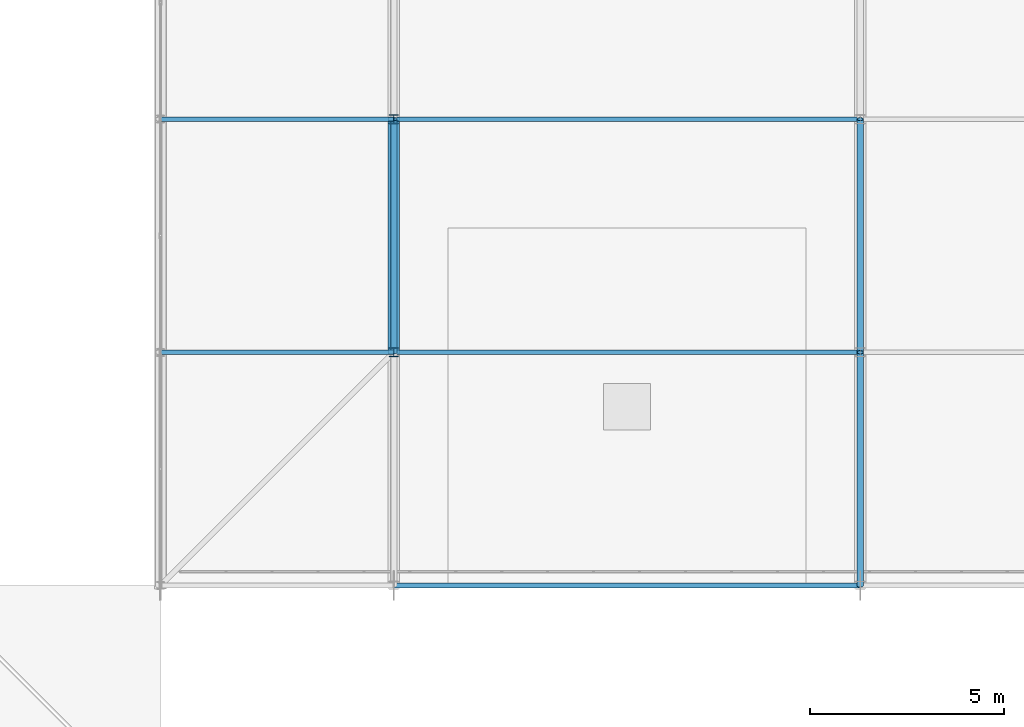
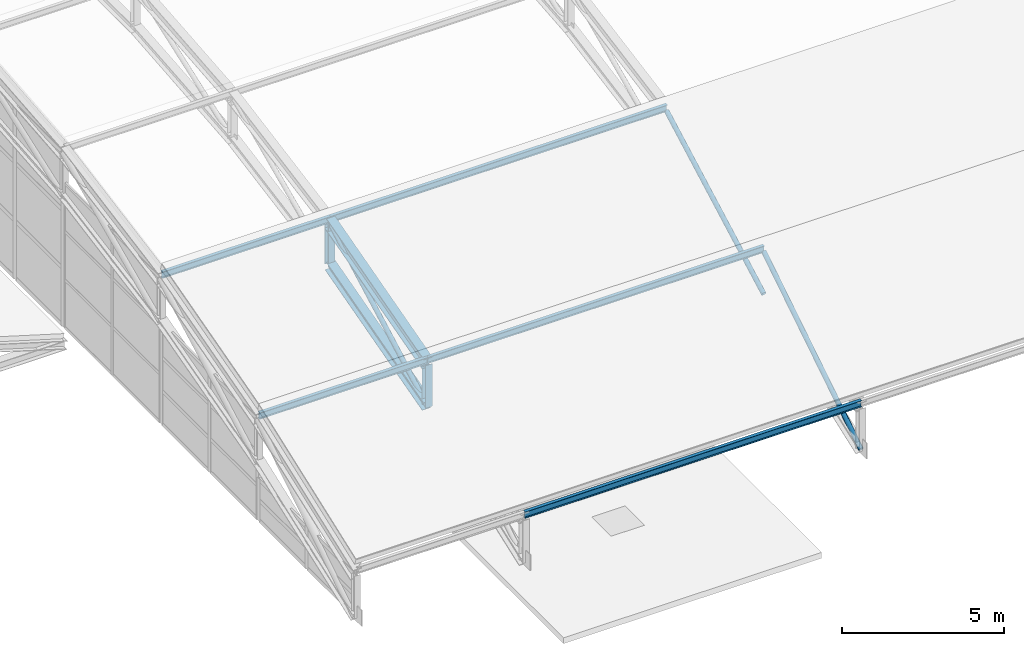
# One storey, part 20 of 204: 12 members.
"""IFC4 building model written with IfcOpenShell, lengths in metres."""

import ifcopenshell
import ifcopenshell.guid

model = None  # the IFC model being written
_history = None  # IfcOwnerHistory: only IFC2X3 demands one
_inside = {}  # id of a spatial element -> (the spatial element, [elements in it])
_under = {}  # id of a project, library or spatial element -> (it, [spatial elements below it])
_declared = {}  # id of a project -> (the project, [libraries it declares])
_typed = {}  # id of a type object -> (the type object, [elements of that type])
_made_of = {}  # id of a material, layer set ... -> (it, [elements and type objects made of it])


def new_model(schema):
    """Start an empty IFC model of exactly this schema.

    Asked for "IFC4X3", IfcOpenShell would pick the latest addendum, in which some entities
    have other attributes; the version numbers below select the first issue.
    IFC2X3 requires an IfcOwnerHistory on every rooted entity: one is made here for all.
    """
    global model, _history
    if schema == "IFC4X3":
        model = ifcopenshell.file(schema_version=(4, 3, 0, 0))
    else:
        model = ifcopenshell.file(schema=schema)
    _inside.clear()
    _under.clear()
    _declared.clear()
    _typed.clear()
    _made_of.clear()
    _history = None
    if model.schema == "IFC2X3":
        org = make("IfcOrganization", Name="unknown")
        user = make(
            "IfcPersonAndOrganization",
            ThePerson=make("IfcPerson", FamilyName="unknown"),
            TheOrganization=org,
        )
        app = make(
            "IfcApplication",
            ApplicationDeveloper=org,
            Version="unknown",
            ApplicationFullName="unknown",
            ApplicationIdentifier="unknown",
        )
        _history = make(
            "IfcOwnerHistory",
            OwningUser=user,
            OwningApplication=app,
            ChangeAction="ADDED",
            CreationDate=0,
        )
    return model


def make(cls, **values):
    """One entity of the class cls with the attributes given. An attribute that is None is left unset."""
    return model.create_entity(
        cls, **{name: value for name, value in values.items() if value is not None}
    )


def rooted(cls, **values):
    """An entity with a GlobalId (a new one), such as an element, a storey or a relation."""
    return make(cls, GlobalId=ifcopenshell.guid.new(), OwnerHistory=_history, **values)


def si_unit(unit_type, name, prefix=None):
    """IfcSIUnit, for example si_unit("LENGTHUNIT", "METRE", prefix="MILLI")."""
    return make("IfcSIUnit", UnitType=unit_type, Prefix=prefix, Name=name)


def assignment(units):
    """IfcUnitAssignment: the units of a project."""
    return None if units is None else make("IfcUnitAssignment", Units=units)


def point(xyz):
    """IfcCartesianPoint."""
    return None if xyz is None else make("IfcCartesianPoint", Coordinates=xyz)


def direction(xyz):
    """IfcDirection."""
    return None if xyz is None else make("IfcDirection", DirectionRatios=xyz)


def frame(location, z_axis=None, x_axis=None):
    """IfcAxis2Placement3D, a coordinate frame: its origin and axes. An axis left out is left unset."""
    return make(
        "IfcAxis2Placement3D",
        Location=point(location),
        Axis=direction(z_axis),
        RefDirection=direction(x_axis),
    )


def frame_2d(location, x_axis=None):
    """IfcAxis2Placement2D, a coordinate frame in the plane: its origin and x axis."""
    return make(
        "IfcAxis2Placement2D", Location=point(location), RefDirection=direction(x_axis)
    )


def origin():
    """The frame at (0, 0, 0) with its axes left unset."""
    return frame((0.0, 0.0, 0.0))


def origin_2d():
    """The frame at (0, 0) in the plane with its x axis left unset."""
    return frame_2d((0.0, 0.0))


def place(relative_to, where):
    """IfcLocalPlacement: puts the frame where relative to a parent placement (None: the world)."""
    return make(
        "IfcLocalPlacement", PlacementRelTo=relative_to, RelativePlacement=where
    )


def context(
    kind, dimensions, precision=None, world=None, true_north=None, identifier=None
):
    """IfcGeometricRepresentationContext, for example the 3D "Model" context."""
    return make(
        "IfcGeometricRepresentationContext",
        ContextIdentifier=identifier,
        ContextType=kind,
        CoordinateSpaceDimension=dimensions,
        Precision=precision,
        WorldCoordinateSystem=world,
        TrueNorth=true_north,
    )


def subcontext(parent, identifier, kind, view, scale=None):
    """IfcGeometricRepresentationSubContext, for example "Body" below "Model"."""
    return make(
        "IfcGeometricRepresentationSubContext",
        ContextIdentifier=identifier,
        ContextType=kind,
        ParentContext=parent,
        TargetScale=scale,
        TargetView=view,
    )


def project(units=None, contexts=None):
    """IfcProject with its units and contexts."""
    return rooted(
        "IfcProject",
        Name="project",
        RepresentationContexts=contexts,
        UnitsInContext=assignment(units),
    )


def spatial(cls, under=None, at=None, **own):
    """A site, building, storey or space (cls), placed at a placement, below another one or the project."""
    s = rooted(cls, ObjectPlacement=at, **own)
    if under is not None:
        _under.setdefault(under.id(), (under, []))[1].append(s)
    return s


def profile(cls, at=None, kind="AREA", **sizes):
    """A parametric profile (cls). Its sizes go by their IFC names, for example OverallWidth=200.0."""
    return make(cls, ProfileType=kind, Position=at, **sizes)


def hollow_circle(**sizes):
    """IfcCircleHollowProfileDef."""
    return profile("IfcCircleHollowProfileDef", **sizes)


def i_section(**sizes):
    """IfcIShapeProfileDef."""
    return profile("IfcIShapeProfileDef", **sizes)


def extrude(swept, where, along, depth):
    """IfcExtrudedAreaSolid: the profile swept, set in the frame where, extruded along a direction by depth."""
    return make(
        "IfcExtrudedAreaSolid",
        SweptArea=swept,
        Position=where,
        ExtrudedDirection=direction(along),
        Depth=depth,
    )


def shape(context_of_items, identifier, shape_type, items):
    """IfcShapeRepresentation: the items that make up one representation, for example the "Body"."""
    return make(
        "IfcShapeRepresentation",
        ContextOfItems=context_of_items,
        RepresentationIdentifier=identifier,
        RepresentationType=shape_type,
        Items=items,
    )


def material(Name=None, Category=None):
    """IfcMaterial."""
    return make("IfcMaterial", Name=Name, Category=Category)


def material_profile(
    of_material, cross_section, Name=None, Category=None, Priority=None
):
    """IfcMaterialProfile: a cross section and its material."""
    return make(
        "IfcMaterialProfile",
        Name=Name,
        Material=of_material,
        Profile=cross_section,
        Priority=Priority,
        Category=Category,
    )


def profile_set(profiles, Name=None, composite=None):
    """IfcMaterialProfileSet."""
    return make(
        "IfcMaterialProfileSet",
        Name=Name,
        MaterialProfiles=profiles,
        CompositeProfile=composite,
    )


def made_of(thing, what):
    """Note that an element or type object is made of a material, layer set ...; save() writes the relation."""
    if what is not None:
        _made_of.setdefault(what.id(), (what, []))[1].append(thing)
    return thing


def type_object(cls, material=None, **own):
    """A type object (cls), such as IfcWallType, which elements share."""
    return made_of(rooted(cls, **own), material)


def element(
    cls,
    number,
    at=None,
    inside=None,
    cuts=None,
    type_object=None,
    material=None,
    context=None,
    identifier="Body",
    shape_type=None,
    held_by="IfcProductDefinitionShape",
    body=None,
    shapes=None,
    **own,
):
    """One element of the class cls, such as IfcWall. Its Tag is "e" and its number.

    at: its placement. inside: the storey or other place that contains it. cuts: it is an
    opening in that element (IfcRelVoidsElement). A single representation is given by context,
    identifier, shape_type and body (its items); several are given by shapes. held_by: the class
    of the entity that holds the representations. save() writes the other relations.
    """
    e = rooted(cls, Tag="e%d" % number, ObjectPlacement=at, **own)
    if body is not None:
        shapes = [shape(context, identifier, shape_type, body)]
    if shapes is not None:
        e.Representation = make(held_by, Representations=shapes)
    if inside is not None:
        _inside.setdefault(inside.id(), (inside, []))[1].append(e)
    if cuts is not None:
        rooted(
            "IfcRelVoidsElement", RelatingBuildingElement=cuts, RelatedOpeningElement=e
        )
    if type_object is not None:
        _typed.setdefault(type_object.id(), (type_object, []))[1].append(e)
    return made_of(e, material)


def aggregate(whole, parts):
    """IfcRelAggregates: a whole, such as a stair, and the parts it consists of."""
    return rooted("IfcRelAggregates", RelatingObject=whole, RelatedObjects=parts)


def save(model, path):
    """Write the relations noted so far, then the file.

    IfcRelAggregates (storeys below a building ...), IfcRelContainedInSpatialStructure (elements
    in a storey), IfcRelDefinesByType, IfcRelAssociatesMaterial and IfcRelDeclares: one each for
    every whole, place, type object, material and project.
    """
    for whole, parts in _under.values():
        aggregate(whole, parts)
    for where, things in _inside.values():
        rooted(
            "IfcRelContainedInSpatialStructure",
            RelatedElements=things,
            RelatingStructure=where,
        )
    for kind, things in _typed.values():
        rooted("IfcRelDefinesByType", RelatedObjects=things, RelatingType=kind)
    for what, things in _made_of.values():
        rooted("IfcRelAssociatesMaterial", RelatedObjects=things, RelatingMaterial=what)
    for by, libraries in _declared.values():
        rooted("IfcRelDeclares", RelatingContext=by, RelatedDefinitions=libraries)
    model.write(path)


model = new_model("IFC4")

# Units and contexts
model_context = context("Model", 3, precision=1e-05, world=origin(), true_north=direction((0.0, 1.0)))
body_context = subcontext(model_context, "Body", "Model", "MODEL_VIEW")
ifc_project = project(units=[si_unit("LENGTHUNIT", "METRE"), si_unit("AREAUNIT", "SQUARE_METRE"), si_unit("VOLUMEUNIT", "CUBIC_METRE"), si_unit("PLANEANGLEUNIT", "RADIAN"), si_unit("MASSUNIT", "GRAM", prefix="KILO")], contexts=[model_context])

# Site, building, storey
site_placement = place(None, origin())
site = spatial("IfcSite", under=ifc_project, at=site_placement, CompositionType="ELEMENT")
building_placement = place(site_placement, origin())
building = spatial("IfcBuilding", under=site, at=building_placement, Name="Zilviju Railside Exhibition Hall", CompositionType="ELEMENT")
storey_placement = place(building_placement, frame((0.0, 0.0, 21.0)))
storey = spatial("IfcBuildingStorey", under=building, at=storey_placement, Name="RF", CompositionType="ELEMENT", Elevation=21.0)

# Members
ifc_material = material(Name="Steel S355J2", Category="steel")
ifc_material_profile_1 = material_profile(ifc_material, hollow_circle(Radius=0.084228515625, WallThickness=0.008056640625, at=origin_2d()), Name="CHS 168.3x8.0")
ifc_profile_set_1 = profile_set([ifc_material_profile_1], Name="Steel S355J2")
member_type_1 = type_object("IfcMemberType", Name="TR-BR-CHS168", PredefinedType="BRACE", material=ifc_profile_set_1)
member_1_placement = place(storey_placement, frame((84.0, 6.0, -5.587646484375), z_axis=(0.0, 0.87872232578, 0.477333294644), x_axis=(-1.0, 0.0, 0.0)))
element("IfcMember", 1, at=member_1_placement, inside=storey, type_object=member_type_1, Name="V1 Parabolic Arch Web Diagonal X=84.0 P2", PredefinedType="BRACE", context=body_context, shape_type="SweptSolid", body=[
    extrude(hollow_circle(Radius=0.084228515625, WallThickness=0.008056640625, at=origin_2d()), origin(), (0.0, 0.0, 1.0), 6.828125),
])
member_2_placement = place(storey_placement, frame((96.0, 0.0, -7.800048828125), z_axis=(0.0, 0.844023315733, 0.536306481872), x_axis=(-1.0, 0.0, 0.0)))
element("IfcMember", 2, at=member_2_placement, inside=storey, type_object=member_type_1, Name="V1 Parabolic Arch Web Diagonal X=96.0 P1", PredefinedType="BRACE", context=body_context, shape_type="SweptSolid", body=[
    extrude(hollow_circle(Radius=0.084228515625, WallThickness=0.008056640625, at=origin_2d()), origin(), (0.0, 0.0, 1.0), 7.10888671875),
])
member_3_placement = place(storey_placement, frame((96.0, 6.0, -5.587646484375), z_axis=(0.0, 0.87872232578, 0.477333294644), x_axis=(-1.0, 0.0, 0.0)))
element("IfcMember", 3, at=member_3_placement, inside=storey, type_object=member_type_1, Name="V1 Parabolic Arch Web Diagonal X=96.0 P2", PredefinedType="BRACE", context=body_context, shape_type="SweptSolid", body=[
    extrude(hollow_circle(Radius=0.084228515625, WallThickness=0.008056640625, at=origin_2d()), origin(), (0.0, 0.0, 1.0), 6.828125),
])
ifc_material_profile_2 = material_profile(ifc_material, i_section(OverallWidth=0.300048828125, OverallDepth=0.360107421875, WebThickness=0.012451171875, FlangeThickness=0.0224609375, at=origin_2d()), Name="HEB 360")
ifc_profile_set_2 = profile_set([ifc_material_profile_2], Name="Steel S355J2")
member_type_2 = type_object("IfcMemberType", Name="TR-CH-HEB360", PredefinedType="CHORD", material=ifc_profile_set_2)
member_4_placement = place(storey_placement, frame((84.0, 6.0, -5.587646484375), z_axis=(0.0, 0.963827412659, 0.266527144223), x_axis=(-1.0, 0.0, 0.0)))
element("IfcMember", 4, at=member_4_placement, inside=storey, type_object=member_type_2, Name="V1 Parabolic Arch Bottom Chord X=84.0 P2", PredefinedType="CHORD", context=body_context, shape_type="SweptSolid", body=[
    extrude(i_section(OverallWidth=0.300048828125, OverallDepth=0.360107421875, WebThickness=0.012451171875, FlangeThickness=0.0224609375, at=origin_2d()), origin(), (0.0, 0.0, 1.0), 6.22509765625),
])
ifc_material_profile_3 = material_profile(ifc_material, i_section(OverallWidth=0.300048828125, OverallDepth=0.449951171875, WebThickness=0.013916015625, FlangeThickness=0.02587890625, at=origin_2d()), Name="HEB 450")
ifc_profile_set_3 = profile_set([ifc_material_profile_3], Name="Steel S355J2")
member_type_3 = type_object("IfcMemberType", Name="TR-CH-HEB450", PredefinedType="CHORD", material=ifc_profile_set_3)
member_5_placement = place(storey_placement, frame((84.0, 6.0, -3.987548828125), z_axis=(0.0, 0.963827412659, 0.266527144223), x_axis=(-1.0, 0.0, 0.0)))
element("IfcMember", 5, at=member_5_placement, inside=storey, type_object=member_type_3, Name="V1 Parabolic Arch Top Chord X=84.0 P2", PredefinedType="CHORD", context=body_context, shape_type="SweptSolid", body=[
    extrude(i_section(OverallWidth=0.300048828125, OverallDepth=0.449951171875, WebThickness=0.013916015625, FlangeThickness=0.02587890625, at=origin_2d()), origin(), (0.0, 0.0, 1.0), 6.22509765625),
])
ifc_material_profile_4 = material_profile(ifc_material, i_section(OverallWidth=0.239990234375, OverallDepth=0.22998046875, WebThickness=0.007568359375, FlangeThickness=0.011962890625, at=origin_2d()), Name="HEA 240")
ifc_profile_set_4 = profile_set([ifc_material_profile_4], Name="Steel S355J2")
member_type_4 = type_object("IfcMemberType", Name="TR-POST-HEA240", PredefinedType="POST", material=ifc_profile_set_4)
for number, where, z_axis, x_axis, name in (
    (6, (84.0, 6.0, -5.587646484375), (0.0, 0.0, 1.0), (1.0, 0.0, 0.0), "V1 Parabolic Arch Web Post X=84.0 N1"),
    (7, (84.0, 12.0, -3.928466796875), (0.0, 0.0, 1.0), (1.0, 0.0, 0.0), "V1 Parabolic Arch Web Post X=84.0 N2"),
):
    element("IfcMember", number, at=place(storey_placement, frame(where, z_axis=z_axis, x_axis=x_axis)), inside=storey, type_object=member_type_4, Name=name, PredefinedType="POST", context=body_context, shape_type="SweptSolid", body=[
        extrude(i_section(OverallWidth=0.239990234375, OverallDepth=0.22998046875, WebThickness=0.007568359375, FlangeThickness=0.011962890625, at=origin_2d()), origin(), (0.0, 0.0, 1.0), 1.60009765625),
    ])
ifc_material_profile_5 = material_profile(ifc_material, i_section(OverallWidth=0.1201171875, OverallDepth=0.239990234375, WebThickness=0.006103515625, FlangeThickness=0.009765625, at=origin_2d()), Name="IPE 240")
ifc_profile_set_5 = profile_set([ifc_material_profile_5], Name="Steel S355J2")
member_type_5 = type_object("IfcMemberType", Name="TR-PUR-IPE240", PredefinedType="PURLIN", material=ifc_profile_set_5)
for number, where, z_axis, x_axis, name in (
    (8, (78.0, 6.0, -3.864990234375), (1.0, 0.0, 0.0), (0.0, 1.0, 0.0), "V1 Barrel Vault Roof Purlin Y=6.0 (78.0..84.0)"),
    (9, (78.0, 12.0, -2.193603515625), (1.0, 0.0, 0.0), (0.0, 1.0, 0.0), "V1 Barrel Vault Roof Purlin Y=12.0 (78.0..84.0)"),
):
    element("IfcMember", number, at=place(storey_placement, frame(where, z_axis=z_axis, x_axis=x_axis)), inside=storey, type_object=member_type_5, Name=name, PredefinedType="PURLIN", context=body_context, shape_type="SweptSolid", body=[
        extrude(i_section(OverallWidth=0.1201171875, OverallDepth=0.239990234375, WebThickness=0.006103515625, FlangeThickness=0.009765625, at=origin_2d()), origin(), (0.0, 0.0, 1.0), 6.0),
    ])
for number, where, z_axis, x_axis, name in (
    (10, (84.0, 0.0, -6.05517578125), (1.0, 0.0, 0.0), (0.0, 1.0, 0.0), "V1 Barrel Vault Roof Purlin Y=0.0 (84.0..96.0)"),
    (11, (84.0, 6.0, -3.864990234375), (1.0, 0.0, 0.0), (0.0, 1.0, 0.0), "V1 Barrel Vault Roof Purlin Y=6.0 (84.0..96.0)"),
    (12, (84.0, 12.0, -2.193603515625), (1.0, 0.0, 0.0), (0.0, 1.0, 0.0), "V1 Barrel Vault Roof Purlin Y=12.0 (84.0..96.0)"),
):
    element("IfcMember", number, at=place(storey_placement, frame(where, z_axis=z_axis, x_axis=x_axis)), inside=storey, type_object=member_type_5, Name=name, PredefinedType="PURLIN", context=body_context, shape_type="SweptSolid", body=[
        extrude(i_section(OverallWidth=0.1201171875, OverallDepth=0.239990234375, WebThickness=0.006103515625, FlangeThickness=0.009765625, at=origin_2d()), origin(), (0.0, 0.0, 1.0), 12.0),
    ])

save(model, "model.ifc")
